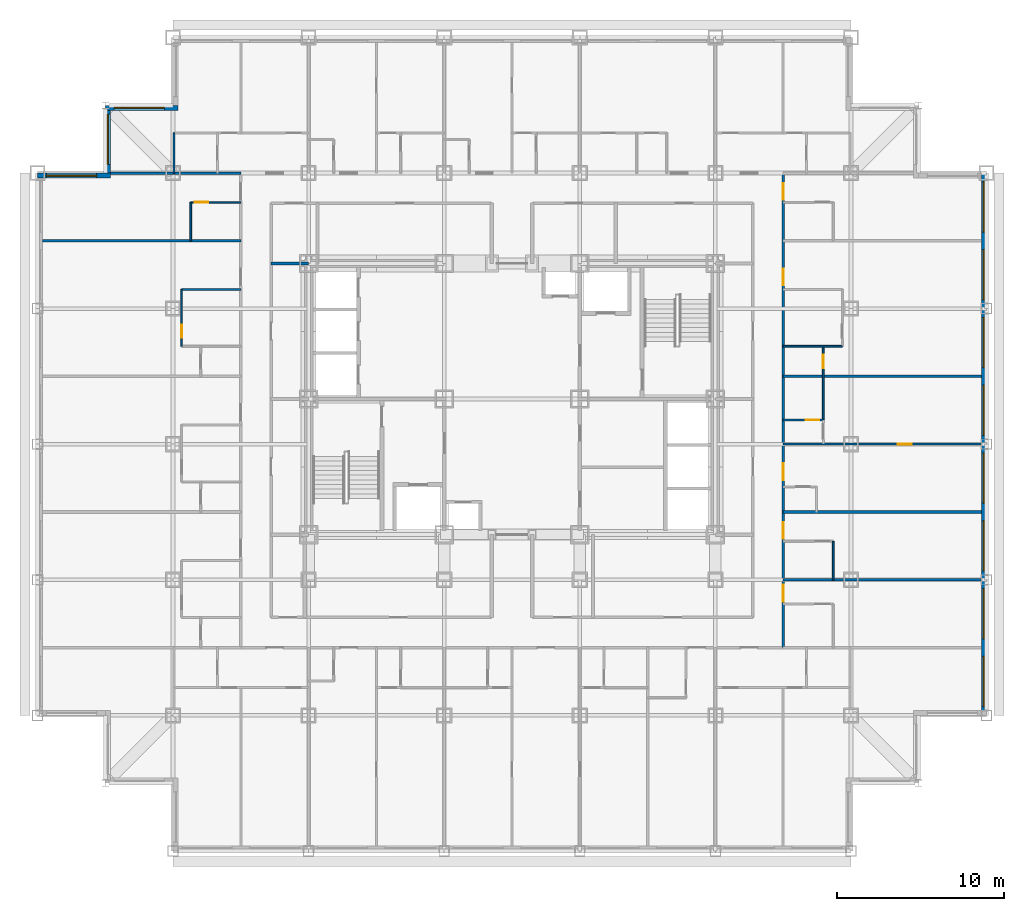
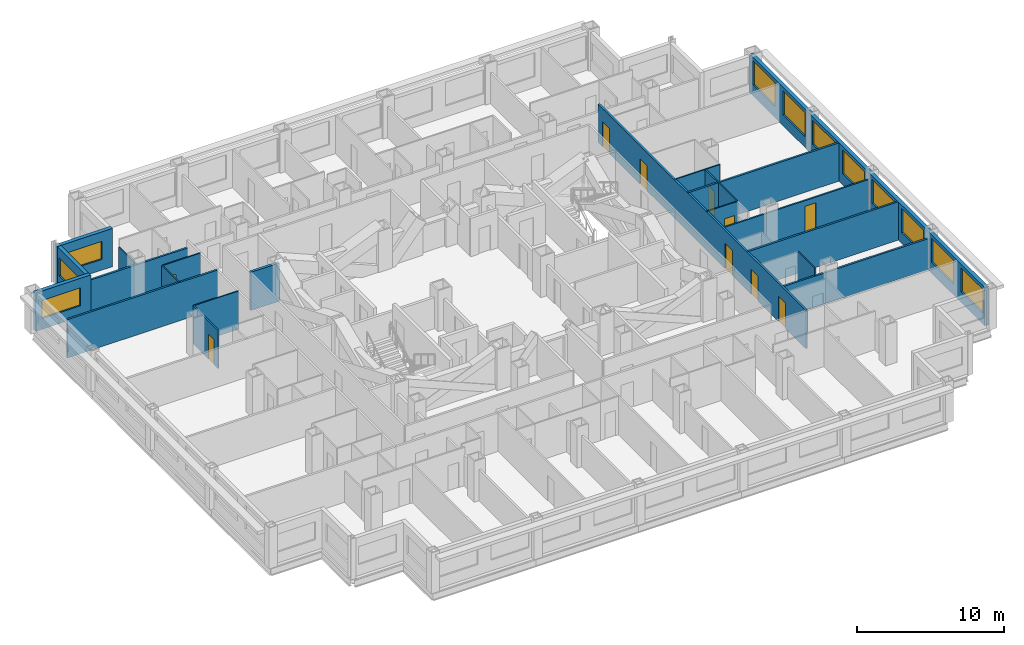
# One storey, part 8 of 12: 21 walls, 11 windows, 10 doors, 21 openings.
"""IFC4 building model written with IfcOpenShell, lengths in metres."""

from ifc_helpers import new_model, si_unit, direction, frame, frame_2d, origin, place, context, subcontext, project, spatial, rectangle, extrude, material, layer, layer_set, type_object, element, fill, save


model = new_model("IFC4")

# Units and contexts
model_context = context("Model", 3, precision=1e-05, world=origin(), true_north=direction((0.0, 1.0)))
body_context = subcontext(model_context, "Body", "Model", "MODEL_VIEW")
ifc_project = project(units=[si_unit("LENGTHUNIT", "METRE"), si_unit("AREAUNIT", "SQUARE_METRE"), si_unit("VOLUMEUNIT", "CUBIC_METRE"), si_unit("PLANEANGLEUNIT", "RADIAN"), si_unit("MASSUNIT", "GRAM", prefix="KILO")], contexts=[model_context])

# Site, building, storey
site_placement = place(None, origin())
site = spatial("IfcSite", under=ifc_project, at=site_placement, CompositionType="ELEMENT")
building_placement = place(site_placement, origin())
building = spatial("IfcBuilding", under=site, at=building_placement, Name="Kopane Lantern Tower", CompositionType="ELEMENT")
storey_placement = place(building_placement, frame((0.0, 0.0, 120.39990234375)))
storey = spatial("IfcBuildingStorey", under=building, at=storey_placement, Name="L30", CompositionType="ELEMENT", Elevation=120.39990234375)

# Wall, opening, door
ifc_material_1 = material(Name="Gypsum board on steel studs", Category="steel")
ifc_layer_1 = layer(ifc_material_1, 0.1201171875)
ifc_layer_set_1 = layer_set([ifc_layer_1], Name="APARTMENT INTERNAL WALL 120")
wall_type_1 = type_object("IfcWallType", Name="APARTMENT INTERNAL WALL 120", PredefinedType="PARTITIONING", material=ifc_layer_set_1)
wall_1_placement = place(storey_placement, frame((44.550048828125, 29.699951171875, 0.0), z_axis=(0.0, 0.0, 1.0), x_axis=(1.0, 0.0, 0.0)))
wall_1 = element("IfcWall", 1, at=wall_1_placement, inside=storey, type_object=wall_type_1, Name="Apartment Internal Wall 120 L30", PredefinedType="PARTITIONING", context=body_context, shape_type="SweptSolid", body=[
    extrude(rectangle(XDim=11.849853515625, YDim=0.1201171875, at=frame_2d((5.9248046875, 0.0))), origin(), (0.0, 0.0, 1.0), 2.577880859375),
])
opening_1_placement = place(wall_1_placement, frame((6.85009765625, 0.0, 0.0)))
opening_1 = element("IfcOpeningElement", 2, at=opening_1_placement, cuts=wall_1, Name="Opening L30-053", PredefinedType="OPENING", context=body_context, shape_type="SweptSolid", body=[
    extrude(rectangle(XDim=0.85009765625, YDim=2.10009765625, at=frame_2d((0.425048828125, 1.050048828125))), frame((0.0, 0.070068359375, 0.0), z_axis=(0.0, -1.0, 0.0), x_axis=(1.0, 0.0, 0.0)), (0.0, 0.0, 1.0), 0.14013671875),
])
ifc_material_2 = material(Name="Timber door set", Category="wood")
door_type_1 = type_object("IfcDoorType", Name="DOOR D4 850x2100", OperationType="SINGLE_SWING_LEFT", PredefinedType="DOOR", material=ifc_material_2)
door_1_placement = place(opening_1_placement, origin())
door_1 = element("IfcDoor", 3, at=door_1_placement, inside=storey, type_object=door_type_1, Name="Door L30-053", OperationType="SINGLE_SWING_LEFT", OverallHeight=2.10009765625, OverallWidth=0.85009765625, PredefinedType="DOOR", context=body_context, shape_type="SweptSolid", body=[
    extrude(rectangle(XDim=0.85009765625, YDim=2.10009765625, at=frame_2d((0.425048828125, 1.050048828125))), frame((0.0, 0.02490234375, 0.0), z_axis=(0.0, -1.0, 0.0), x_axis=(1.0, 0.0, 0.0)), (0.0, 0.0, 1.0), 0.050048828125),
])
fill(opening_1, door_1)

ifc_material_3 = material(Name="Moisture-resistant board on steel studs", Category="steel")
ifc_layer_2 = layer(ifc_material_3, 0.10009765625)
ifc_layer_set_2 = layer_set([ifc_layer_2], Name="BATHROOM WALL 100")
wall_type_2 = type_object("IfcWallType", Name="BATHROOM WALL 100", PredefinedType="PARTITIONING", material=ifc_layer_set_2)
wall_2_placement = place(storey_placement, frame((8.610107421875, 35.550048828125, 0.0), z_axis=(0.0, 0.0, 1.0), x_axis=(0.0, 1.0, 0.0)))
wall_2 = element("IfcWall", 4, at=wall_2_placement, inside=storey, type_object=wall_type_2, Name="Bathroom Wall 100 L30", PredefinedType="PARTITIONING", context=body_context, shape_type="SweptSolid", body=[
    extrude(rectangle(XDim=3.39990234375, YDim=0.10009765625, at=frame_2d((1.699951171875, 0.0))), origin(), (0.0, 0.0, 1.0), 3.190185546875),
])
opening_2_placement = place(wall_2_placement, frame((0.5, 0.0, 0.0)))
opening_2 = element("IfcOpeningElement", 5, at=opening_2_placement, cuts=wall_2, Name="Opening L30-041", PredefinedType="OPENING", context=body_context, shape_type="SweptSolid", body=[
    extrude(rectangle(XDim=0.800048828125, YDim=2.10009765625, at=frame_2d((0.39990234375, 1.050048828125))), frame((0.0, 0.06005859375, 0.0), z_axis=(0.0, -1.0, 0.0), x_axis=(1.0, 0.0, 0.0)), (0.0, 0.0, 1.0), 0.1201171875),
])
ifc_material_4 = material(Name="Timber door set", Category="wood")
door_type_2 = type_object("IfcDoorType", Name="DOOR D2 800x2100", OperationType="SINGLE_SWING_LEFT", PredefinedType="DOOR", material=ifc_material_4)
door_2_placement = place(opening_2_placement, origin())
door_2 = element("IfcDoor", 6, at=door_2_placement, inside=storey, type_object=door_type_2, Name="Door L30-041", OperationType="SINGLE_SWING_RIGHT", OverallHeight=2.10009765625, OverallWidth=0.800048828125, PredefinedType="DOOR", context=body_context, shape_type="SweptSolid", body=[
    extrude(rectangle(XDim=0.800048828125, YDim=2.10009765625, at=frame_2d((0.39990234375, 1.050048828125))), frame((0.0, 0.02490234375, 0.0), z_axis=(0.0, -1.0, 0.0), x_axis=(1.0, 0.0, 0.0)), (0.0, 0.0, 1.0), 0.050048828125),
])
fill(opening_2, door_2)

# Walls
wall_3_placement = place(storey_placement, frame((12.14990234375, 38.949951171875, 0.0), z_axis=(0.0, 0.0, 1.0), x_axis=(-1.0, 0.0, 0.0)))
element("IfcWall", 7, at=wall_3_placement, inside=storey, type_object=wall_type_2, Name="Bathroom Wall 100 L30", PredefinedType="PARTITIONING", context=body_context, shape_type="SweptSolid", body=[
    extrude(rectangle(XDim=3.539794921875, YDim=0.10009765625, at=frame_2d((1.77001953125, 0.0))), origin(), (0.0, 0.0, 1.0), 3.190185546875),
])
wall_4_placement = place(storey_placement, frame((9.14990234375, 41.85009765625, 0.0), z_axis=(0.0, 0.0, 1.0), x_axis=(0.0, 1.0, 0.0)))
element("IfcWall", 8, at=wall_4_placement, inside=storey, type_object=wall_type_2, Name="Bathroom Wall 100 L30", PredefinedType="PARTITIONING", context=body_context, shape_type="SweptSolid", body=[
    extrude(rectangle(XDim=2.2998046875, YDim=0.10009765625, at=frame_2d((1.14990234375, 0.0))), origin(), (0.0, 0.0, 1.0), 3.190185546875),
])

# Wall, opening, door
wall_5_placement = place(storey_placement, frame((12.14990234375, 44.14990234375, 0.0), z_axis=(0.0, 0.0, 1.0), x_axis=(-1.0, 0.0, 0.0)))
wall_5 = element("IfcWall", 9, at=wall_5_placement, inside=storey, type_object=wall_type_2, Name="Bathroom Wall 100 L30", PredefinedType="PARTITIONING", context=body_context, shape_type="SweptSolid", body=[
    extrude(rectangle(XDim=3.0, YDim=0.10009765625, at=frame_2d((1.5, 0.0))), origin(), (0.0, 0.0, 1.0), 3.190185546875),
])
opening_3_placement = place(wall_5_placement, frame((1.949951171875, 0.0, 0.0)))
opening_3 = element("IfcOpeningElement", 10, at=opening_3_placement, cuts=wall_5, Name="Opening L30-044", PredefinedType="OPENING", context=body_context, shape_type="SweptSolid", body=[
    extrude(rectangle(XDim=0.800048828125, YDim=2.10009765625, at=frame_2d((0.39990234375, 1.050048828125))), frame((0.0, 0.06005859375, 0.0), z_axis=(0.0, -1.0, 0.0), x_axis=(1.0, 0.0, 0.0)), (0.0, 0.0, 1.0), 0.1201171875),
])
door_3_placement = place(opening_3_placement, origin())
door_3 = element("IfcDoor", 11, at=door_3_placement, inside=storey, type_object=door_type_2, Name="Door L30-044", OperationType="SINGLE_SWING_RIGHT", OverallHeight=2.10009765625, OverallWidth=0.800048828125, PredefinedType="DOOR", context=body_context, shape_type="SweptSolid", body=[
    extrude(rectangle(XDim=0.800048828125, YDim=2.10009765625, at=frame_2d((0.39990234375, 1.050048828125))), frame((0.0, 0.02490234375, 0.0), z_axis=(0.0, -1.0, 0.0), x_axis=(1.0, 0.0, 0.0)), (0.0, 0.0, 1.0), 0.050048828125),
])
fill(opening_3, door_3)

# Wall
wall_6_placement = place(storey_placement, frame((47.550048828125, 21.60009765625, 0.0), z_axis=(0.0, 0.0, 1.0), x_axis=(0.0, 1.0, 0.0)))
element("IfcWall", 12, at=wall_6_placement, inside=storey, type_object=wall_type_2, Name="Bathroom Wall 100 L30", PredefinedType="PARTITIONING", context=body_context, shape_type="SweptSolid", body=[
    extrude(rectangle(XDim=2.2998046875, YDim=0.10009765625, at=frame_2d((1.14990234375, 0.0))), origin(), (0.0, 0.0, 1.0), 3.190185546875),
])

# Wall, opening, door
wall_7_placement = place(storey_placement, frame((46.949951171875, 31.14990234375, 0.0), z_axis=(0.0, 0.0, 1.0), x_axis=(0.0, 1.0, 0.0)))
wall_7 = element("IfcWall", 13, at=wall_7_placement, inside=storey, type_object=wall_type_2, Name="Bathroom Wall 100 L30", PredefinedType="PARTITIONING", context=body_context, shape_type="SweptSolid", body=[
    extrude(rectangle(XDim=4.400146484375, YDim=0.10009765625, at=frame_2d((2.2001953125, 0.0))), origin(), (0.0, 0.0, 1.0), 3.190185546875),
])
opening_4_placement = place(wall_7_placement, frame((3.10009765625, 0.0, 0.0)))
opening_4 = element("IfcOpeningElement", 14, at=opening_4_placement, cuts=wall_7, Name="Opening L30-055", PredefinedType="OPENING", context=body_context, shape_type="SweptSolid", body=[
    extrude(rectangle(XDim=0.800048828125, YDim=2.10009765625, at=frame_2d((0.39990234375, 1.050048828125))), frame((0.0, 0.06005859375, 0.0), z_axis=(0.0, -1.0, 0.0), x_axis=(1.0, 0.0, 0.0)), (0.0, 0.0, 1.0), 0.1201171875),
])
door_4_placement = place(opening_4_placement, origin())
door_4 = element("IfcDoor", 15, at=door_4_placement, inside=storey, type_object=door_type_2, Name="Door L30-055", OperationType="SINGLE_SWING_LEFT", OverallHeight=2.10009765625, OverallWidth=0.800048828125, PredefinedType="DOOR", context=body_context, shape_type="SweptSolid", body=[
    extrude(rectangle(XDim=0.800048828125, YDim=2.10009765625, at=frame_2d((0.39990234375, 1.050048828125))), frame((0.0, 0.02490234375, 0.0), z_axis=(0.0, -1.0, 0.0), x_axis=(1.0, 0.0, 0.0)), (0.0, 0.0, 1.0), 0.050048828125),
])
fill(opening_4, door_4)

wall_8_placement = place(storey_placement, frame((44.550048828125, 31.14990234375, 0.0), z_axis=(0.0, 0.0, 1.0), x_axis=(1.0, 0.0, 0.0)))
wall_8 = element("IfcWall", 16, at=wall_8_placement, inside=storey, type_object=wall_type_2, Name="Bathroom Wall 100 L30", PredefinedType="PARTITIONING", context=body_context, shape_type="SweptSolid", body=[
    extrude(rectangle(XDim=2.39990234375, YDim=0.10009765625, at=frame_2d((1.199951171875, 0.0))), origin(), (0.0, 0.0, 1.0), 3.190185546875),
])
opening_5_placement = place(wall_8_placement, frame((1.35009765625, 0.0, 0.0)))
opening_5 = element("IfcOpeningElement", 17, at=opening_5_placement, cuts=wall_8, Name="Opening L30-052", PredefinedType="OPENING", context=body_context, shape_type="SweptSolid", body=[
    extrude(rectangle(XDim=0.800048828125, YDim=2.10009765625, at=frame_2d((0.39990234375, 1.050048828125))), frame((0.0, 0.06005859375, 0.0), z_axis=(0.0, -1.0, 0.0), x_axis=(1.0, 0.0, 0.0)), (0.0, 0.0, 1.0), 0.1201171875),
])
door_5_placement = place(opening_5_placement, origin())
door_5 = element("IfcDoor", 18, at=door_5_placement, inside=storey, type_object=door_type_2, Name="Door L30-052", OperationType="SINGLE_SWING_LEFT", OverallHeight=2.10009765625, OverallWidth=0.800048828125, PredefinedType="DOOR", context=body_context, shape_type="SweptSolid", body=[
    extrude(rectangle(XDim=0.800048828125, YDim=2.10009765625, at=frame_2d((0.39990234375, 1.050048828125))), frame((0.0, 0.02490234375, 0.0), z_axis=(0.0, -1.0, 0.0), x_axis=(1.0, 0.0, 0.0)), (0.0, 0.0, 1.0), 0.050048828125),
])
fill(opening_5, door_5)

# Walls
wall_9_placement = place(storey_placement, frame((44.550048828125, 35.550048828125, 0.0), z_axis=(0.0, 0.0, 1.0), x_axis=(1.0, 0.0, 0.0)))
element("IfcWall", 19, at=wall_9_placement, inside=storey, type_object=wall_type_2, Name="Bathroom Wall 100 L30", PredefinedType="PARTITIONING", context=body_context, shape_type="SweptSolid", body=[
    extrude(rectangle(XDim=3.5400390625, YDim=0.10009765625, at=frame_2d((1.77001953125, 0.0))), origin(), (0.0, 0.0, 1.0), 3.190185546875),
])
wall_10_placement = place(storey_placement, frame((8.14990234375, 45.89990234375, 0.0), z_axis=(0.0, 0.0, 1.0), x_axis=(0.0, 1.0, 0.0)))
element("IfcWall", 20, at=wall_10_placement, inside=storey, type_object=wall_type_2, Name="Bathroom Wall 100 L30", PredefinedType="PARTITIONING", context=body_context, shape_type="SweptSolid", body=[
    extrude(rectangle(XDim=2.400146484375, YDim=0.10009765625, at=frame_2d((1.2001953125, 0.0))), origin(), (0.0, 0.0, 1.0), 2.577880859375),
])

# Wall, openings, doors
ifc_material_5 = material(Name="Gypsum board on steel studs", Category="steel")
ifc_layer_3 = layer(ifc_material_5, 0.14990234375)
ifc_layer_set_3 = layer_set([ifc_layer_3], Name="CORRIDOR WALL 150 EI 60")
wall_type_3 = type_object("IfcWallType", Name="CORRIDOR WALL 150 EI 60", PredefinedType="PARTITIONING", material=ifc_layer_set_3)
wall_11_placement = place(storey_placement, frame((44.550048828125, 17.550048828125, 0.0), z_axis=(0.0, 0.0, 1.0), x_axis=(0.0, 1.0, 0.0)))
wall_11 = element("IfcWall", 21, at=wall_11_placement, inside=storey, type_object=wall_type_3, Name="Corridor Wall 150 Ei 60 L30", PredefinedType="PARTITIONING", context=body_context, shape_type="SweptSolid", body=[
    extrude(rectangle(XDim=28.349853515625, YDim=0.14990234375, at=frame_2d((14.1748046875, 0.0))), origin(), (0.0, 0.0, 1.0), 3.190185546875),
])
opening_6_placement = place(wall_11_placement, frame((2.75, 0.0, 0.0)))
opening_6 = element("IfcOpeningElement", 22, at=opening_6_placement, cuts=wall_11, Name="Opening L30-047", PredefinedType="OPENING", context=body_context, shape_type="SweptSolid", body=[
    extrude(rectangle(XDim=1.0, YDim=2.10009765625, at=frame_2d((0.5, 1.050048828125))), frame((0.0, 0.0849609375, 0.0), z_axis=(0.0, -1.0, 0.0), x_axis=(1.0, 0.0, 0.0)), (0.0, 0.0, 1.0), 0.169921875),
])
opening_7_placement = place(wall_11_placement, frame((6.5, 0.0, 0.0)))
opening_7 = element("IfcOpeningElement", 23, at=opening_7_placement, cuts=wall_11, Name="Opening L30-049", PredefinedType="OPENING", context=body_context, shape_type="SweptSolid", body=[
    extrude(rectangle(XDim=1.0, YDim=2.10009765625, at=frame_2d((0.5, 1.050048828125))), frame((0.0, 0.0849609375, 0.0), z_axis=(0.0, -1.0, 0.0), x_axis=(1.0, 0.0, 0.0)), (0.0, 0.0, 1.0), 0.169921875),
])
opening_8_placement = place(wall_11_placement, frame((10.0, 0.0, 0.0)))
opening_8 = element("IfcOpeningElement", 24, at=opening_8_placement, cuts=wall_11, Name="Opening L30-051", PredefinedType="OPENING", context=body_context, shape_type="SweptSolid", body=[
    extrude(rectangle(XDim=1.0, YDim=2.10009765625, at=frame_2d((0.5, 1.050048828125))), frame((0.0, 0.0849609375, 0.0), z_axis=(0.0, -1.0, 0.0), x_axis=(1.0, 0.0, 0.0)), (0.0, 0.0, 1.0), 0.169921875),
])
opening_9_placement = place(wall_11_placement, frame((21.64990234375, 0.0, 0.0)))
opening_9 = element("IfcOpeningElement", 25, at=opening_9_placement, cuts=wall_11, Name="Opening L30-056", PredefinedType="OPENING", context=body_context, shape_type="SweptSolid", body=[
    extrude(rectangle(XDim=1.0, YDim=2.10009765625, at=frame_2d((0.5, 1.050048828125))), frame((0.0, 0.0849609375, 0.0), z_axis=(0.0, -1.0, 0.0), x_axis=(1.0, 0.0, 0.0)), (0.0, 0.0, 1.0), 0.169921875),
])
opening_10_placement = place(wall_11_placement, frame((26.75, 0.0, 0.0)))
opening_10 = element("IfcOpeningElement", 26, at=opening_10_placement, cuts=wall_11, Name="Opening L30-058", PredefinedType="OPENING", context=body_context, shape_type="SweptSolid", body=[
    extrude(rectangle(XDim=1.0, YDim=2.10009765625, at=frame_2d((0.5, 1.050048828125))), frame((0.0, 0.0849609375, 0.0), z_axis=(0.0, -1.0, 0.0), x_axis=(1.0, 0.0, 0.0)), (0.0, 0.0, 1.0), 0.169921875),
])
ifc_material_6 = material(Name="Steel door set", Category="steel")
door_type_3 = type_object("IfcDoorType", Name="DOOR D1 1000x2100 FD30S", OperationType="SINGLE_SWING_LEFT", PredefinedType="DOOR", material=ifc_material_6)
door_6_placement = place(opening_6_placement, origin())
door_6 = element("IfcDoor", 27, at=door_6_placement, inside=storey, type_object=door_type_3, Name="Door L30-047", OperationType="SINGLE_SWING_RIGHT", OverallHeight=2.10009765625, OverallWidth=1.0, PredefinedType="DOOR", context=body_context, shape_type="SweptSolid", body=[
    extrude(rectangle(XDim=1.0, YDim=2.10009765625, at=frame_2d((0.5, 1.050048828125))), frame((0.0, 0.02490234375, 0.0), z_axis=(0.0, -1.0, 0.0), x_axis=(1.0, 0.0, 0.0)), (0.0, 0.0, 1.0), 0.050048828125),
])
fill(opening_6, door_6)
door_7_placement = place(opening_7_placement, origin())
door_7 = element("IfcDoor", 28, at=door_7_placement, inside=storey, type_object=door_type_3, Name="Door L30-049", OperationType="SINGLE_SWING_RIGHT", OverallHeight=2.10009765625, OverallWidth=1.0, PredefinedType="DOOR", context=body_context, shape_type="SweptSolid", body=[
    extrude(rectangle(XDim=1.0, YDim=2.10009765625, at=frame_2d((0.5, 1.050048828125))), frame((0.0, 0.02490234375, 0.0), z_axis=(0.0, -1.0, 0.0), x_axis=(1.0, 0.0, 0.0)), (0.0, 0.0, 1.0), 0.050048828125),
])
fill(opening_7, door_7)
door_8_placement = place(opening_8_placement, origin())
door_8 = element("IfcDoor", 29, at=door_8_placement, inside=storey, type_object=door_type_3, Name="Door L30-051", OperationType="SINGLE_SWING_RIGHT", OverallHeight=2.10009765625, OverallWidth=1.0, PredefinedType="DOOR", context=body_context, shape_type="SweptSolid", body=[
    extrude(rectangle(XDim=1.0, YDim=2.10009765625, at=frame_2d((0.5, 1.050048828125))), frame((0.0, 0.02490234375, 0.0), z_axis=(0.0, -1.0, 0.0), x_axis=(1.0, 0.0, 0.0)), (0.0, 0.0, 1.0), 0.050048828125),
])
fill(opening_8, door_8)
door_9_placement = place(opening_9_placement, origin())
door_9 = element("IfcDoor", 30, at=door_9_placement, inside=storey, type_object=door_type_3, Name="Door L30-056", OperationType="SINGLE_SWING_RIGHT", OverallHeight=2.10009765625, OverallWidth=1.0, PredefinedType="DOOR", context=body_context, shape_type="SweptSolid", body=[
    extrude(rectangle(XDim=1.0, YDim=2.10009765625, at=frame_2d((0.5, 1.050048828125))), frame((0.0, 0.02490234375, 0.0), z_axis=(0.0, -1.0, 0.0), x_axis=(1.0, 0.0, 0.0)), (0.0, 0.0, 1.0), 0.050048828125),
])
fill(opening_9, door_9)
door_10_placement = place(opening_10_placement, origin())
door_10 = element("IfcDoor", 31, at=door_10_placement, inside=storey, type_object=door_type_3, Name="Door L30-058", OperationType="SINGLE_SWING_RIGHT", OverallHeight=2.10009765625, OverallWidth=1.0, PredefinedType="DOOR", context=body_context, shape_type="SweptSolid", body=[
    extrude(rectangle(XDim=1.0, YDim=2.10009765625, at=frame_2d((0.5, 1.050048828125))), frame((0.0, 0.02490234375, 0.0), z_axis=(0.0, -1.0, 0.0), x_axis=(1.0, 0.0, 0.0)), (0.0, 0.0, 1.0), 0.050048828125),
])
fill(opening_10, door_10)

# Walls
ifc_material_7 = material(Name="Gypsum board on steel studs", Category="steel")
ifc_layer_4 = layer(ifc_material_7, 0.14990234375)
ifc_layer_set_4 = layer_set([ifc_layer_4], Name="DEMISING WALL 150 EI 60")
wall_type_4 = type_object("IfcWallType", Name="DEMISING WALL 150 EI 60", PredefinedType="PARTITIONING", material=ifc_layer_set_4)
wall_12_placement = place(storey_placement, frame((12.14990234375, 41.85009765625, 0.0), z_axis=(0.0, 0.0, 1.0), x_axis=(-1.0, 0.0, 0.0)))
element("IfcWall", 32, at=wall_12_placement, inside=storey, type_object=wall_type_4, Name="Demising Wall 150 Ei 60 L30", PredefinedType="PARTITIONING", context=body_context, shape_type="SweptSolid", body=[
    extrude(rectangle(XDim=11.849853515625, YDim=0.14990234375, at=frame_2d((5.9248046875, 0.0))), origin(), (0.0, 0.0, 1.0), 3.190185546875),
])
wall_13_placement = place(storey_placement, frame((44.550048828125, 21.60009765625, 0.0), z_axis=(0.0, 0.0, 1.0), x_axis=(1.0, 0.0, 0.0)))
element("IfcWall", 33, at=wall_13_placement, inside=storey, type_object=wall_type_4, Name="Demising Wall 150 Ei 60 L30", PredefinedType="PARTITIONING", context=body_context, shape_type="SweptSolid", body=[
    extrude(rectangle(XDim=11.849853515625, YDim=0.14990234375, at=frame_2d((5.9248046875, 0.0))), origin(), (0.0, 0.0, 1.0), 2.577880859375),
])
for number, where, z_axis, x_axis, name in (
    (34, (44.550048828125, 25.64990234375, 0.0), (0.0, 0.0, 1.0), (1.0, 0.0, 0.0), "Demising Wall 150 Ei 60 L30"),
    (35, (44.550048828125, 33.75, 0.0), (0.0, 0.0, 1.0), (1.0, 0.0, 0.0), "Demising Wall 150 Ei 60 L30"),
):
    element("IfcWall", number, at=place(storey_placement, frame(where, z_axis=z_axis, x_axis=x_axis)), inside=storey, type_object=wall_type_4, Name=name, PredefinedType="PARTITIONING", context=body_context, shape_type="SweptSolid", body=[
        extrude(rectangle(XDim=11.849853515625, YDim=0.14990234375, at=frame_2d((5.9248046875, 0.0))), origin(), (0.0, 0.0, 1.0), 3.190185546875),
    ])
wall_14_placement = place(storey_placement, frame((4.35009765625, 45.89990234375, 0.0), z_axis=(0.0, 0.0, 1.0), x_axis=(1.0, 0.0, 0.0)))
element("IfcWall", 36, at=wall_14_placement, inside=storey, type_object=wall_type_4, Name="Demising Wall 150 Ei 60 L30", PredefinedType="PARTITIONING", context=body_context, shape_type="SweptSolid", body=[
    extrude(rectangle(XDim=7.7998046875, YDim=0.14990234375, at=frame_2d((3.89990234375, 0.0))), origin(), (0.0, 0.0, 1.0), 2.577880859375),
])

# Wall, openings, windows
ifc_material_8 = material(Name="Terracotta rainscreen on light steel framing", Category="masonry")
ifc_layer_5 = layer(ifc_material_8, 0.300048828125)
ifc_layer_set_5 = layer_set([ifc_layer_5], Name="EXTERNAL WALL EW1 300 TERRACOTTA")
wall_type_5 = type_object("IfcWallType", Name="EXTERNAL WALL EW1 300 TERRACOTTA", PredefinedType="SOLIDWALL", material=ifc_layer_set_5)
wall_15_placement = place(storey_placement, frame((56.550048828125, 13.800048828125, 0.0), z_axis=(0.0, 0.0, 1.0), x_axis=(0.0, 1.0, 0.0)))
wall_15 = element("IfcWall", 37, at=wall_15_placement, inside=storey, type_object=wall_type_5, Name="External wall E L30", PredefinedType="SOLIDWALL", context=body_context, shape_type="SweptSolid", body=[
    extrude(rectangle(XDim=32.099853515625, YDim=0.300048828125, at=frame_2d((16.0498046875, 0.0))), origin(), (0.0, 0.0, 1.0), 3.190185546875),
])
opening_11_placement = place(wall_15_placement, frame((0.22509765625, 0.0, 0.89990234375)))
opening_11 = element("IfcOpeningElement", 38, at=opening_11_placement, cuts=wall_15, Name="Opening WR300200", PredefinedType="OPENING", context=body_context, shape_type="SweptSolid", body=[
    extrude(rectangle(XDim=3.0, YDim=2.0, at=frame_2d((1.5, 1.0))), frame((0.0, 0.159912109375, 0.0), z_axis=(0.0, -1.0, 0.0), x_axis=(1.0, 0.0, 0.0)), (0.0, 0.0, 1.0), 0.320068359375),
])
opening_12_placement = place(wall_15_placement, frame((4.27490234375, 0.0, 0.89990234375)))
opening_12 = element("IfcOpeningElement", 39, at=opening_12_placement, cuts=wall_15, Name="Opening WR300200", PredefinedType="OPENING", context=body_context, shape_type="SweptSolid", body=[
    extrude(rectangle(XDim=3.0, YDim=2.0, at=frame_2d((1.5, 1.0))), frame((0.0, 0.159912109375, 0.0), z_axis=(0.0, -1.0, 0.0), x_axis=(1.0, 0.0, 0.0)), (0.0, 0.0, 1.0), 0.320068359375),
])
opening_13_placement = place(wall_15_placement, frame((8.324951171875, 0.0, 0.89990234375)))
opening_13 = element("IfcOpeningElement", 40, at=opening_13_placement, cuts=wall_15, Name="Opening WR300200", PredefinedType="OPENING", context=body_context, shape_type="SweptSolid", body=[
    extrude(rectangle(XDim=3.0, YDim=2.0, at=frame_2d((1.5, 1.0))), frame((0.0, 0.159912109375, 0.0), z_axis=(0.0, -1.0, 0.0), x_axis=(1.0, 0.0, 0.0)), (0.0, 0.0, 1.0), 0.320068359375),
])
opening_14_placement = place(wall_15_placement, frame((12.375, 0.0, 0.89990234375)))
opening_14 = element("IfcOpeningElement", 41, at=opening_14_placement, cuts=wall_15, Name="Opening WR300200", PredefinedType="OPENING", context=body_context, shape_type="SweptSolid", body=[
    extrude(rectangle(XDim=3.0, YDim=2.0, at=frame_2d((1.5, 1.0))), frame((0.0, 0.159912109375, 0.0), z_axis=(0.0, -1.0, 0.0), x_axis=(1.0, 0.0, 0.0)), (0.0, 0.0, 1.0), 0.320068359375),
])
opening_15_placement = place(wall_15_placement, frame((16.425048828125, 0.0, 0.89990234375)))
opening_15 = element("IfcOpeningElement", 42, at=opening_15_placement, cuts=wall_15, Name="Opening WR300200", PredefinedType="OPENING", context=body_context, shape_type="SweptSolid", body=[
    extrude(rectangle(XDim=3.0, YDim=2.0, at=frame_2d((1.5, 1.0))), frame((0.0, 0.159912109375, 0.0), z_axis=(0.0, -1.0, 0.0), x_axis=(1.0, 0.0, 0.0)), (0.0, 0.0, 1.0), 0.320068359375),
])
opening_16_placement = place(wall_15_placement, frame((20.47509765625, 0.0, 0.89990234375)))
opening_16 = element("IfcOpeningElement", 43, at=opening_16_placement, cuts=wall_15, Name="Opening WR300200", PredefinedType="OPENING", context=body_context, shape_type="SweptSolid", body=[
    extrude(rectangle(XDim=3.0, YDim=2.0, at=frame_2d((1.5, 1.0))), frame((0.0, 0.159912109375, 0.0), z_axis=(0.0, -1.0, 0.0), x_axis=(1.0, 0.0, 0.0)), (0.0, 0.0, 1.0), 0.320068359375),
])
opening_17_placement = place(wall_15_placement, frame((24.52490234375, 0.0, 0.89990234375)))
opening_17 = element("IfcOpeningElement", 44, at=opening_17_placement, cuts=wall_15, Name="Opening WR300200", PredefinedType="OPENING", context=body_context, shape_type="SweptSolid", body=[
    extrude(rectangle(XDim=3.0, YDim=2.0, at=frame_2d((1.5, 1.0))), frame((0.0, 0.159912109375, 0.0), z_axis=(0.0, -1.0, 0.0), x_axis=(1.0, 0.0, 0.0)), (0.0, 0.0, 1.0), 0.320068359375),
])
opening_18_placement = place(wall_15_placement, frame((28.574951171875, 0.0, 0.89990234375)))
opening_18 = element("IfcOpeningElement", 45, at=opening_18_placement, cuts=wall_15, Name="Opening WR300200", PredefinedType="OPENING", context=body_context, shape_type="SweptSolid", body=[
    extrude(rectangle(XDim=3.0, YDim=2.0, at=frame_2d((1.5, 1.0))), frame((0.0, 0.159912109375, 0.0), z_axis=(0.0, -1.0, 0.0), x_axis=(1.0, 0.0, 0.0)), (0.0, 0.0, 1.0), 0.320068359375),
])
ifc_material_9 = material(Name="Aluminium and clear glass", Category="aluminium")
window_type_1 = type_object("IfcWindowType", Name="RIBBON WINDOW WR300200 3000x2000", PartitioningType="SINGLE_PANEL", PredefinedType="WINDOW", material=ifc_material_9)
window_1_placement = place(opening_11_placement, origin())
window_1 = element("IfcWindow", 46, at=window_1_placement, inside=storey, type_object=window_type_1, Name="Window E L30", OverallHeight=2.0, OverallWidth=3.0, PartitioningType="SINGLE_PANEL", PredefinedType="WINDOW", context=body_context, shape_type="SweptSolid", body=[
    extrude(rectangle(XDim=3.0, YDim=2.0, at=frame_2d((1.5, 1.0))), frame((0.0, 0.030029296875, 0.0), z_axis=(0.0, -1.0, 0.0), x_axis=(1.0, 0.0, 0.0)), (0.0, 0.0, 1.0), 0.06005859375),
])
fill(opening_11, window_1)
window_2_placement = place(opening_12_placement, origin())
window_2 = element("IfcWindow", 47, at=window_2_placement, inside=storey, type_object=window_type_1, Name="Window E L30", OverallHeight=2.0, OverallWidth=3.0, PartitioningType="SINGLE_PANEL", PredefinedType="WINDOW", context=body_context, shape_type="SweptSolid", body=[
    extrude(rectangle(XDim=3.0, YDim=2.0, at=frame_2d((1.5, 1.0))), frame((0.0, 0.030029296875, 0.0), z_axis=(0.0, -1.0, 0.0), x_axis=(1.0, 0.0, 0.0)), (0.0, 0.0, 1.0), 0.06005859375),
])
fill(opening_12, window_2)
window_3_placement = place(opening_13_placement, origin())
window_3 = element("IfcWindow", 48, at=window_3_placement, inside=storey, type_object=window_type_1, Name="Window E L30", OverallHeight=2.0, OverallWidth=3.0, PartitioningType="SINGLE_PANEL", PredefinedType="WINDOW", context=body_context, shape_type="SweptSolid", body=[
    extrude(rectangle(XDim=3.0, YDim=2.0, at=frame_2d((1.5, 1.0))), frame((0.0, 0.030029296875, 0.0), z_axis=(0.0, -1.0, 0.0), x_axis=(1.0, 0.0, 0.0)), (0.0, 0.0, 1.0), 0.06005859375),
])
fill(opening_13, window_3)
window_4_placement = place(opening_14_placement, origin())
window_4 = element("IfcWindow", 49, at=window_4_placement, inside=storey, type_object=window_type_1, Name="Window E L30", OverallHeight=2.0, OverallWidth=3.0, PartitioningType="SINGLE_PANEL", PredefinedType="WINDOW", context=body_context, shape_type="SweptSolid", body=[
    extrude(rectangle(XDim=3.0, YDim=2.0, at=frame_2d((1.5, 1.0))), frame((0.0, 0.030029296875, 0.0), z_axis=(0.0, -1.0, 0.0), x_axis=(1.0, 0.0, 0.0)), (0.0, 0.0, 1.0), 0.06005859375),
])
fill(opening_14, window_4)
window_5_placement = place(opening_15_placement, origin())
window_5 = element("IfcWindow", 50, at=window_5_placement, inside=storey, type_object=window_type_1, Name="Window E L30", OverallHeight=2.0, OverallWidth=3.0, PartitioningType="SINGLE_PANEL", PredefinedType="WINDOW", context=body_context, shape_type="SweptSolid", body=[
    extrude(rectangle(XDim=3.0, YDim=2.0, at=frame_2d((1.5, 1.0))), frame((0.0, 0.030029296875, 0.0), z_axis=(0.0, -1.0, 0.0), x_axis=(1.0, 0.0, 0.0)), (0.0, 0.0, 1.0), 0.06005859375),
])
fill(opening_15, window_5)
window_6_placement = place(opening_16_placement, origin())
window_6 = element("IfcWindow", 51, at=window_6_placement, inside=storey, type_object=window_type_1, Name="Window E L30", OverallHeight=2.0, OverallWidth=3.0, PartitioningType="SINGLE_PANEL", PredefinedType="WINDOW", context=body_context, shape_type="SweptSolid", body=[
    extrude(rectangle(XDim=3.0, YDim=2.0, at=frame_2d((1.5, 1.0))), frame((0.0, 0.030029296875, 0.0), z_axis=(0.0, -1.0, 0.0), x_axis=(1.0, 0.0, 0.0)), (0.0, 0.0, 1.0), 0.06005859375),
])
fill(opening_16, window_6)
window_7_placement = place(opening_17_placement, origin())
window_7 = element("IfcWindow", 52, at=window_7_placement, inside=storey, type_object=window_type_1, Name="Window E L30", OverallHeight=2.0, OverallWidth=3.0, PartitioningType="SINGLE_PANEL", PredefinedType="WINDOW", context=body_context, shape_type="SweptSolid", body=[
    extrude(rectangle(XDim=3.0, YDim=2.0, at=frame_2d((1.5, 1.0))), frame((0.0, 0.030029296875, 0.0), z_axis=(0.0, -1.0, 0.0), x_axis=(1.0, 0.0, 0.0)), (0.0, 0.0, 1.0), 0.06005859375),
])
fill(opening_17, window_7)
window_8_placement = place(opening_18_placement, origin())
window_8 = element("IfcWindow", 53, at=window_8_placement, inside=storey, type_object=window_type_1, Name="Window E L30", OverallHeight=2.0, OverallWidth=3.0, PartitioningType="SINGLE_PANEL", PredefinedType="WINDOW", context=body_context, shape_type="SweptSolid", body=[
    extrude(rectangle(XDim=3.0, YDim=2.0, at=frame_2d((1.5, 1.0))), frame((0.0, 0.030029296875, 0.0), z_axis=(0.0, -1.0, 0.0), x_axis=(1.0, 0.0, 0.0)), (0.0, 0.0, 1.0), 0.06005859375),
])
fill(opening_18, window_8)

# Wall, opening, window
wall_16_placement = place(storey_placement, frame((8.39990234375, 49.800048828125, 0.0), z_axis=(0.0, 0.0, 1.0), x_axis=(-1.0, 0.0, 0.0)))
wall_16 = element("IfcWall", 54, at=wall_16_placement, inside=storey, type_object=wall_type_5, Name="External wall N L30", PredefinedType="SOLIDWALL", context=body_context, shape_type="SweptSolid", body=[
    extrude(rectangle(XDim=4.349853515625, YDim=0.300048828125, at=frame_2d((2.1748046875, 0.0))), origin(), (0.0, 0.0, 1.0), 3.190185546875),
])
opening_19_placement = place(wall_16_placement, frame((0.824951171875, 0.0, 0.89990234375)))
opening_19 = element("IfcOpeningElement", 55, at=opening_19_placement, cuts=wall_16, Name="Opening WR300150", PredefinedType="OPENING", context=body_context, shape_type="SweptSolid", body=[
    extrude(rectangle(XDim=3.0, YDim=1.5, at=frame_2d((1.5, 0.75))), frame((0.0, 0.159912109375, 0.0), z_axis=(0.0, -1.0, 0.0), x_axis=(1.0, 0.0, 0.0)), (0.0, 0.0, 1.0), 0.320068359375),
])
ifc_material_10 = material(Name="Aluminium and clear glass", Category="aluminium")
window_type_2 = type_object("IfcWindowType", Name="RIBBON WINDOW WR300150 3000x1500", PartitioningType="SINGLE_PANEL", PredefinedType="WINDOW", material=ifc_material_10)
window_9_placement = place(opening_19_placement, origin())
window_9 = element("IfcWindow", 56, at=window_9_placement, inside=storey, type_object=window_type_2, Name="Window N L30", OverallHeight=1.5, OverallWidth=3.0, PartitioningType="SINGLE_PANEL", PredefinedType="WINDOW", context=body_context, shape_type="SweptSolid", body=[
    extrude(rectangle(XDim=3.0, YDim=1.5, at=frame_2d((1.5, 0.75))), frame((0.0, 0.030029296875, 0.0), z_axis=(0.0, -1.0, 0.0), x_axis=(1.0, 0.0, 0.0)), (0.0, 0.0, 1.0), 0.06005859375),
])
fill(opening_19, window_9)

wall_17_placement = place(storey_placement, frame((4.199951171875, 49.64990234375, 0.0), z_axis=(0.0, 0.0, 1.0), x_axis=(0.0, -1.0, 0.0)))
wall_17 = element("IfcWall", 57, at=wall_17_placement, inside=storey, type_object=wall_type_5, Name="External wall W L30", PredefinedType="SOLIDWALL", context=body_context, shape_type="SweptSolid", body=[
    extrude(rectangle(XDim=3.75, YDim=0.300048828125, at=frame_2d((1.875, 0.0))), origin(), (0.0, 0.0, 1.0), 3.190185546875),
])
opening_20_placement = place(wall_17_placement, frame((0.22509765625, 0.0, 0.89990234375)))
opening_20 = element("IfcOpeningElement", 58, at=opening_20_placement, cuts=wall_17, Name="Opening WR300150", PredefinedType="OPENING", context=body_context, shape_type="SweptSolid", body=[
    extrude(rectangle(XDim=3.0, YDim=1.5, at=frame_2d((1.5, 0.75))), frame((0.0, 0.159912109375, 0.0), z_axis=(0.0, -1.0, 0.0), x_axis=(1.0, 0.0, 0.0)), (0.0, 0.0, 1.0), 0.320068359375),
])
window_10_placement = place(opening_20_placement, origin())
window_10 = element("IfcWindow", 59, at=window_10_placement, inside=storey, type_object=window_type_2, Name="Window W L30", OverallHeight=1.5, OverallWidth=3.0, PartitioningType="SINGLE_PANEL", PredefinedType="WINDOW", context=body_context, shape_type="SweptSolid", body=[
    extrude(rectangle(XDim=3.0, YDim=1.5, at=frame_2d((1.5, 0.75))), frame((0.0, 0.030029296875, 0.0), z_axis=(0.0, -1.0, 0.0), x_axis=(1.0, 0.0, 0.0)), (0.0, 0.0, 1.0), 0.06005859375),
])
fill(opening_20, window_10)

wall_18_placement = place(storey_placement, frame((4.35009765625, 45.75, 0.0), z_axis=(0.0, 0.0, 1.0), x_axis=(-1.0, 0.0, 0.0)))
wall_18 = element("IfcWall", 60, at=wall_18_placement, inside=storey, type_object=wall_type_5, Name="External wall N L30", PredefinedType="SOLIDWALL", context=body_context, shape_type="SweptSolid", body=[
    extrude(rectangle(XDim=4.35009765625, YDim=0.300048828125, at=frame_2d((2.175048828125, 0.0))), origin(), (0.0, 0.0, 1.0), 3.190185546875),
])
opening_21_placement = place(wall_18_placement, frame((0.824951171875, 0.0, 0.89990234375)))
opening_21 = element("IfcOpeningElement", 61, at=opening_21_placement, cuts=wall_18, Name="Opening WR300150", PredefinedType="OPENING", context=body_context, shape_type="SweptSolid", body=[
    extrude(rectangle(XDim=3.0, YDim=1.5, at=frame_2d((1.5, 0.75))), frame((0.0, 0.159912109375, 0.0), z_axis=(0.0, -1.0, 0.0), x_axis=(1.0, 0.0, 0.0)), (0.0, 0.0, 1.0), 0.320068359375),
])
window_11_placement = place(opening_21_placement, origin())
window_11 = element("IfcWindow", 62, at=window_11_placement, inside=storey, type_object=window_type_2, Name="Window N L30", OverallHeight=1.5, OverallWidth=3.0, PartitioningType="SINGLE_PANEL", PredefinedType="WINDOW", context=body_context, shape_type="SweptSolid", body=[
    extrude(rectangle(XDim=3.0, YDim=1.5, at=frame_2d((1.5, 0.75))), frame((0.0, 0.030029296875, 0.0), z_axis=(0.0, -1.0, 0.0), x_axis=(1.0, 0.0, 0.0)), (0.0, 0.0, 1.0), 0.06005859375),
])
fill(opening_21, window_11)

# Wall
ifc_material_11 = material(Name="Concrete masonry", Category="masonry")
ifc_layer_6 = layer(ifc_material_11, 0.199951171875)
ifc_layer_set_6 = layer_set([ifc_layer_6], Name="PLANT ROOM WALL 200 EI 120")
wall_type_6 = type_object("IfcWallType", Name="PLANT ROOM WALL 200 EI 120", PredefinedType="SOLIDWALL", material=ifc_layer_set_6)
wall_19_placement = place(storey_placement, frame((13.949951171875, 40.5, 0.0), z_axis=(0.0, 0.0, 1.0), x_axis=(1.0, 0.0, 0.0)))
element("IfcWall", 63, at=wall_19_placement, inside=storey, type_object=wall_type_6, Name="Plant Room Wall 200 Ei 120 L30", PredefinedType="SOLIDWALL", context=body_context, shape_type="SweptSolid", body=[
    extrude(rectangle(XDim=2.25, YDim=0.199951171875, at=frame_2d((1.125, 0.0))), origin(), (0.0, 0.0, 1.0), 3.190185546875),
])

save(model, "model.ifc")
